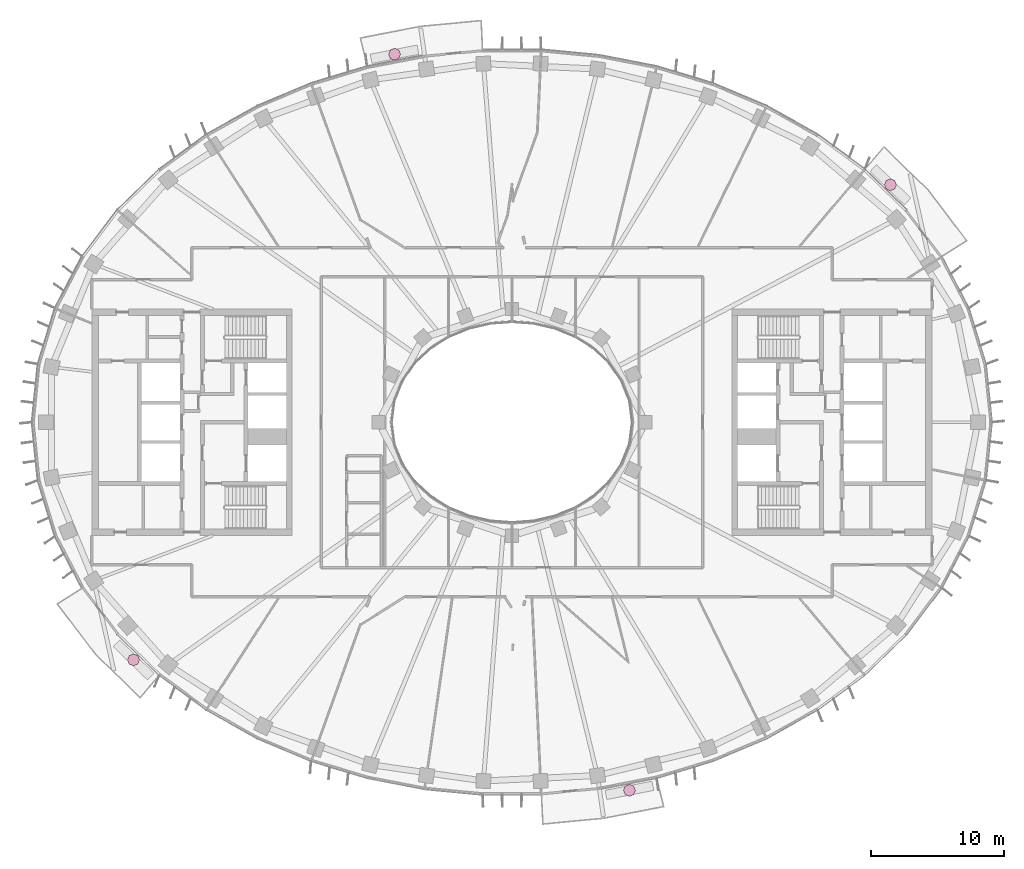
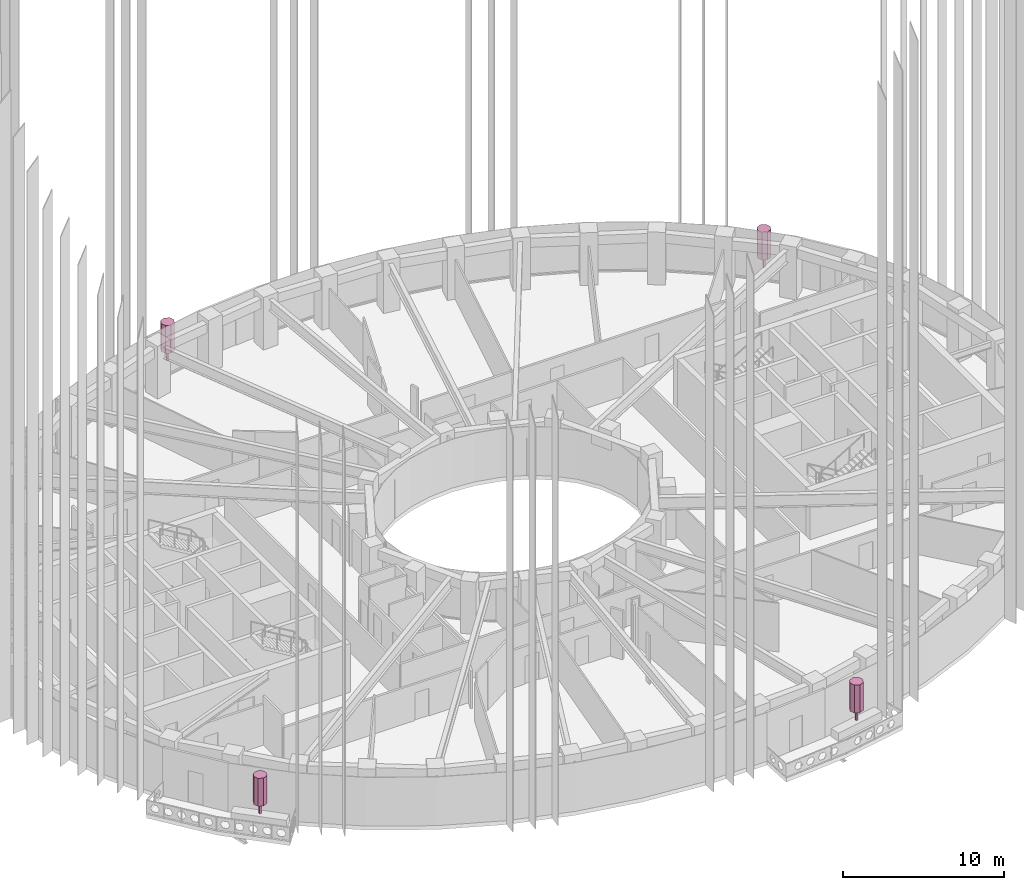
# One storey, part 19 of 19: 4 furnishings.
"""IFC4 building model written with IfcOpenShell, lengths in metres."""

from ifc_helpers import new_model, si_unit, direction, frame, origin, origin_2d, place, context, subcontext, project, spatial, polyline, rectangle, outline, extrude, material, type_object, element, save


model = new_model("IFC4")

# Units and contexts
model_context = context("Model", 3, precision=1e-05, world=origin(), true_north=direction((0.0, 1.0)))
body_context = subcontext(model_context, "Body", "Model", "MODEL_VIEW")
ifc_project = project(units=[si_unit("LENGTHUNIT", "METRE"), si_unit("AREAUNIT", "SQUARE_METRE"), si_unit("VOLUMEUNIT", "CUBIC_METRE"), si_unit("PLANEANGLEUNIT", "RADIAN"), si_unit("MASSUNIT", "GRAM", prefix="KILO")], contexts=[model_context])

# Site, building, storey
site_placement = place(None, origin())
site = spatial("IfcSite", under=ifc_project, at=site_placement, CompositionType="ELEMENT")
building_placement = place(site_placement, origin())
building = spatial("IfcBuilding", under=site, at=building_placement, Name="Noorbagh Ring Tower", CompositionType="ELEMENT")
storey_placement = place(building_placement, frame((0.0, 0.0, 233.5)))
storey = spatial("IfcBuildingStorey", under=building, at=storey_placement, Name="L48", CompositionType="ELEMENT", Elevation=233.5)

# Furnishings
ifc_material = material(Name="Planting foliage green")
furnishing_element_type = type_object("IfcFurnishingElementType", Name="ENV-TREE", material=ifc_material)
for number, where, z_axis, x_axis, name in (
    (1, (28.3837890625, 17.814208984375, 0.60009765625), (0.0, 0.0, 1.0), (1.0, 0.0, 0.0), "Tree BN01"),
    (2, (-8.807861328125, 27.603515625, 0.60009765625), (0.0, 0.0, 1.0), (1.0, 0.0, 0.0), "Tree BN04"),
    (3, (-28.3837890625, -17.814208984375, 0.60009765625), (0.0, 0.0, 1.0), (1.0, 0.0, 0.0), "Tree BS01"),
    (4, (8.807861328125, -27.603515625, 0.60009765625), (0.0, 0.0, 1.0), (1.0, 0.0, 0.0), "Tree BS04"),
):
    element("IfcFurnishingElement", number, at=place(storey_placement, frame(where, z_axis=z_axis, x_axis=x_axis)), inside=storey, type_object=furnishing_element_type, Name=name, context=body_context, shape_type="SweptSolid", body=[
        extrude(rectangle(XDim=0.1201171875, YDim=0.1201171875, at=origin_2d()), origin(), (0.0, 0.0, 1.0), 0.825927734375),
        extrude(outline(polyline([(0.449951171875, 0.0), (0.318115234375, 0.318115234375), (0.0, 0.449951171875), (-0.318115234375, 0.318115234375), (-0.449951171875, 0.0), (-0.318115234375, -0.318115234375), (0.0, -0.449951171875), (0.318115234375, -0.318115234375), (0.449951171875, 0.0)])), frame((0.0, 0.0, 0.825927734375)), (0.0, 0.0, 1.0), 2.1240234375),
    ])

save(model, "model.ifc")
